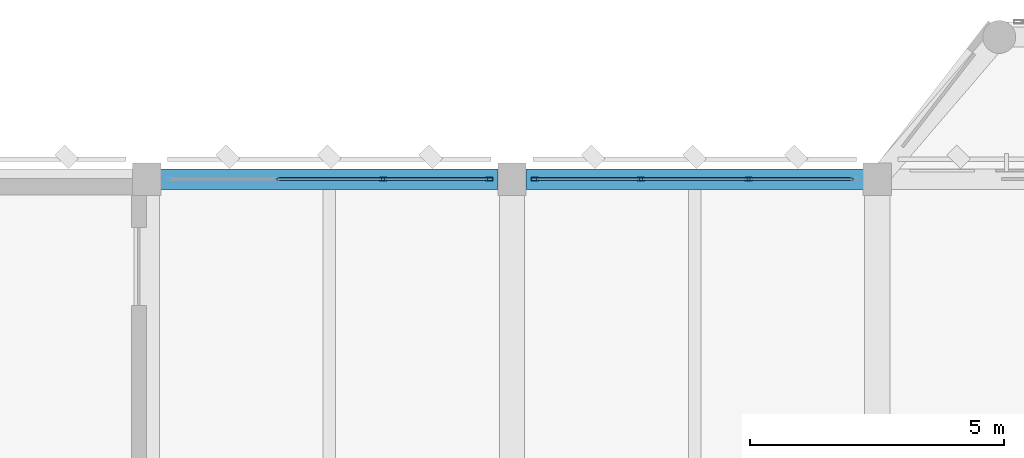
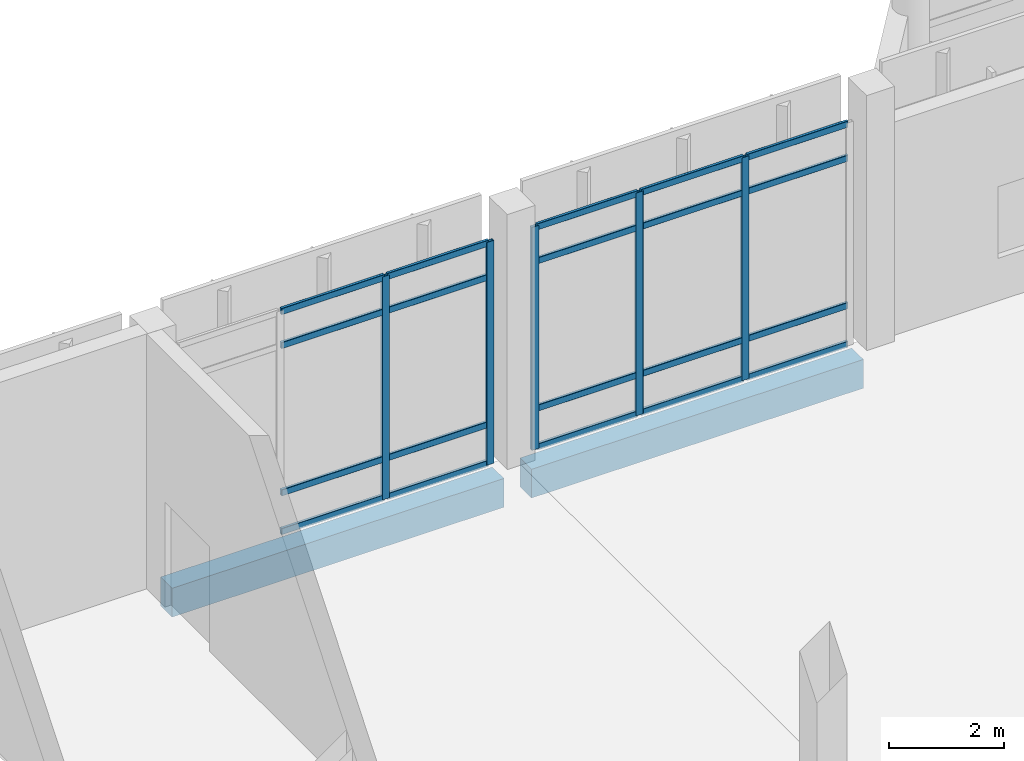
# One storey, part 95 of 180: 25 members, 2 beams, 2 elements without a shape of their own.
"""IFC4 building model written with IfcOpenShell, lengths in metres."""

import ifcopenshell
import ifcopenshell.guid

model = None  # the IFC model being written
_history = None  # IfcOwnerHistory: only IFC2X3 demands one
_inside = {}  # id of a spatial element -> (the spatial element, [elements in it])
_under = {}  # id of a project, library or spatial element -> (it, [spatial elements below it])
_declared = {}  # id of a project -> (the project, [libraries it declares])
_typed = {}  # id of a type object -> (the type object, [elements of that type])
_made_of = {}  # id of a material, layer set ... -> (it, [elements and type objects made of it])


def new_model(schema):
    """Start an empty IFC model of exactly this schema.

    Asked for "IFC4X3", IfcOpenShell would pick the latest addendum, in which some entities
    have other attributes; the version numbers below select the first issue.
    IFC2X3 requires an IfcOwnerHistory on every rooted entity: one is made here for all.
    """
    global model, _history
    if schema == "IFC4X3":
        model = ifcopenshell.file(schema_version=(4, 3, 0, 0))
    else:
        model = ifcopenshell.file(schema=schema)
    _inside.clear()
    _under.clear()
    _declared.clear()
    _typed.clear()
    _made_of.clear()
    _history = None
    if model.schema == "IFC2X3":
        org = make("IfcOrganization", Name="unknown")
        user = make(
            "IfcPersonAndOrganization",
            ThePerson=make("IfcPerson", FamilyName="unknown"),
            TheOrganization=org,
        )
        app = make(
            "IfcApplication",
            ApplicationDeveloper=org,
            Version="unknown",
            ApplicationFullName="unknown",
            ApplicationIdentifier="unknown",
        )
        _history = make(
            "IfcOwnerHistory",
            OwningUser=user,
            OwningApplication=app,
            ChangeAction="ADDED",
            CreationDate=0,
        )
    return model


def make(cls, **values):
    """One entity of the class cls with the attributes given. An attribute that is None is left unset."""
    return model.create_entity(
        cls, **{name: value for name, value in values.items() if value is not None}
    )


def rooted(cls, **values):
    """An entity with a GlobalId (a new one), such as an element, a storey or a relation."""
    return make(cls, GlobalId=ifcopenshell.guid.new(), OwnerHistory=_history, **values)


def si_unit(unit_type, name, prefix=None):
    """IfcSIUnit, for example si_unit("LENGTHUNIT", "METRE", prefix="MILLI")."""
    return make("IfcSIUnit", UnitType=unit_type, Prefix=prefix, Name=name)


def assignment(units):
    """IfcUnitAssignment: the units of a project."""
    return None if units is None else make("IfcUnitAssignment", Units=units)


def point(xyz):
    """IfcCartesianPoint."""
    return None if xyz is None else make("IfcCartesianPoint", Coordinates=xyz)


def direction(xyz):
    """IfcDirection."""
    return None if xyz is None else make("IfcDirection", DirectionRatios=xyz)


def frame(location, z_axis=None, x_axis=None):
    """IfcAxis2Placement3D, a coordinate frame: its origin and axes. An axis left out is left unset."""
    return make(
        "IfcAxis2Placement3D",
        Location=point(location),
        Axis=direction(z_axis),
        RefDirection=direction(x_axis),
    )


def frame_2d(location, x_axis=None):
    """IfcAxis2Placement2D, a coordinate frame in the plane: its origin and x axis."""
    return make(
        "IfcAxis2Placement2D", Location=point(location), RefDirection=direction(x_axis)
    )


def origin():
    """The frame at (0, 0, 0) with its axes left unset."""
    return frame((0.0, 0.0, 0.0))


def origin_2d():
    """The frame at (0, 0) in the plane with its x axis left unset."""
    return frame_2d((0.0, 0.0))


def place(relative_to, where):
    """IfcLocalPlacement: puts the frame where relative to a parent placement (None: the world)."""
    return make(
        "IfcLocalPlacement", PlacementRelTo=relative_to, RelativePlacement=where
    )


def context(
    kind, dimensions, precision=None, world=None, true_north=None, identifier=None
):
    """IfcGeometricRepresentationContext, for example the 3D "Model" context."""
    return make(
        "IfcGeometricRepresentationContext",
        ContextIdentifier=identifier,
        ContextType=kind,
        CoordinateSpaceDimension=dimensions,
        Precision=precision,
        WorldCoordinateSystem=world,
        TrueNorth=true_north,
    )


def subcontext(parent, identifier, kind, view, scale=None):
    """IfcGeometricRepresentationSubContext, for example "Body" below "Model"."""
    return make(
        "IfcGeometricRepresentationSubContext",
        ContextIdentifier=identifier,
        ContextType=kind,
        ParentContext=parent,
        TargetScale=scale,
        TargetView=view,
    )


def project(units=None, contexts=None):
    """IfcProject with its units and contexts."""
    return rooted(
        "IfcProject",
        Name="project",
        RepresentationContexts=contexts,
        UnitsInContext=assignment(units),
    )


def spatial(cls, under=None, at=None, **own):
    """A site, building, storey or space (cls), placed at a placement, below another one or the project."""
    s = rooted(cls, ObjectPlacement=at, **own)
    if under is not None:
        _under.setdefault(under.id(), (under, []))[1].append(s)
    return s


def profile(cls, at=None, kind="AREA", **sizes):
    """A parametric profile (cls). Its sizes go by their IFC names, for example OverallWidth=200.0."""
    return make(cls, ProfileType=kind, Position=at, **sizes)


def rectangle(**sizes):
    """IfcRectangleProfileDef."""
    return profile("IfcRectangleProfileDef", **sizes)


def hollow_rectangle(**sizes):
    """IfcRectangleHollowProfileDef."""
    return profile("IfcRectangleHollowProfileDef", **sizes)


def extrude(swept, where, along, depth):
    """IfcExtrudedAreaSolid: the profile swept, set in the frame where, extruded along a direction by depth."""
    return make(
        "IfcExtrudedAreaSolid",
        SweptArea=swept,
        Position=where,
        ExtrudedDirection=direction(along),
        Depth=depth,
    )


def shape(context_of_items, identifier, shape_type, items):
    """IfcShapeRepresentation: the items that make up one representation, for example the "Body"."""
    return make(
        "IfcShapeRepresentation",
        ContextOfItems=context_of_items,
        RepresentationIdentifier=identifier,
        RepresentationType=shape_type,
        Items=items,
    )


def material(Name=None, Category=None):
    """IfcMaterial."""
    return make("IfcMaterial", Name=Name, Category=Category)


def material_profile(
    of_material, cross_section, Name=None, Category=None, Priority=None
):
    """IfcMaterialProfile: a cross section and its material."""
    return make(
        "IfcMaterialProfile",
        Name=Name,
        Material=of_material,
        Profile=cross_section,
        Priority=Priority,
        Category=Category,
    )


def profile_set(profiles, Name=None, composite=None):
    """IfcMaterialProfileSet."""
    return make(
        "IfcMaterialProfileSet",
        Name=Name,
        MaterialProfiles=profiles,
        CompositeProfile=composite,
    )


def made_of(thing, what):
    """Note that an element or type object is made of a material, layer set ...; save() writes the relation."""
    if what is not None:
        _made_of.setdefault(what.id(), (what, []))[1].append(thing)
    return thing


def type_object(cls, material=None, **own):
    """A type object (cls), such as IfcWallType, which elements share."""
    return made_of(rooted(cls, **own), material)


def element(
    cls,
    number,
    at=None,
    inside=None,
    cuts=None,
    type_object=None,
    material=None,
    context=None,
    identifier="Body",
    shape_type=None,
    held_by="IfcProductDefinitionShape",
    body=None,
    shapes=None,
    **own,
):
    """One element of the class cls, such as IfcWall. Its Tag is "e" and its number.

    at: its placement. inside: the storey or other place that contains it. cuts: it is an
    opening in that element (IfcRelVoidsElement). A single representation is given by context,
    identifier, shape_type and body (its items); several are given by shapes. held_by: the class
    of the entity that holds the representations. save() writes the other relations.
    """
    e = rooted(cls, Tag="e%d" % number, ObjectPlacement=at, **own)
    if body is not None:
        shapes = [shape(context, identifier, shape_type, body)]
    if shapes is not None:
        e.Representation = make(held_by, Representations=shapes)
    if inside is not None:
        _inside.setdefault(inside.id(), (inside, []))[1].append(e)
    if cuts is not None:
        rooted(
            "IfcRelVoidsElement", RelatingBuildingElement=cuts, RelatedOpeningElement=e
        )
    if type_object is not None:
        _typed.setdefault(type_object.id(), (type_object, []))[1].append(e)
    return made_of(e, material)


def aggregate(whole, parts):
    """IfcRelAggregates: a whole, such as a stair, and the parts it consists of."""
    return rooted("IfcRelAggregates", RelatingObject=whole, RelatedObjects=parts)


def save(model, path):
    """Write the relations noted so far, then the file.

    IfcRelAggregates (storeys below a building ...), IfcRelContainedInSpatialStructure (elements
    in a storey), IfcRelDefinesByType, IfcRelAssociatesMaterial and IfcRelDeclares: one each for
    every whole, place, type object, material and project.
    """
    for whole, parts in _under.values():
        aggregate(whole, parts)
    for where, things in _inside.values():
        rooted(
            "IfcRelContainedInSpatialStructure",
            RelatedElements=things,
            RelatingStructure=where,
        )
    for kind, things in _typed.values():
        rooted("IfcRelDefinesByType", RelatedObjects=things, RelatingType=kind)
    for what, things in _made_of.values():
        rooted("IfcRelAssociatesMaterial", RelatedObjects=things, RelatingMaterial=what)
    for by, libraries in _declared.values():
        rooted("IfcRelDeclares", RelatingContext=by, RelatedDefinitions=libraries)
    model.write(path)


model = new_model("IFC4")

# Units and contexts
model_context = context("Model", 3, precision=1e-05, world=origin(), true_north=direction((0.0, 1.0)))
body_context = subcontext(model_context, "Body", "Model", "MODEL_VIEW")
ifc_project = project(units=[si_unit("LENGTHUNIT", "METRE"), si_unit("AREAUNIT", "SQUARE_METRE"), si_unit("VOLUMEUNIT", "CUBIC_METRE"), si_unit("PLANEANGLEUNIT", "RADIAN"), si_unit("MASSUNIT", "GRAM", prefix="KILO")], contexts=[model_context])

# Site, building, storey
site_placement = place(None, origin())
site = spatial("IfcSite", under=ifc_project, at=site_placement, CompositionType="ELEMENT")
building_placement = place(site_placement, origin())
building = spatial("IfcBuilding", under=site, at=building_placement, Name="Lusvemor Sports Hall", CompositionType="ELEMENT")
storey_placement = place(building_placement, frame((0.0, 0.0, 5.39990234375)))
storey = spatial("IfcBuildingStorey", under=building, at=storey_placement, Name="L01", CompositionType="ELEMENT", Elevation=5.39990234375)

# Curtain wall, members
ifc_material_1 = material(Name="Thermally broken bronze-anodized aluminium", Category="aluminium")
curtain_wall_type = type_object("IfcCurtainWallType", Name="CW_WING_B", PredefinedType="NOTDEFINED", material=ifc_material_1)
curtain_wall_1_placement = place(storey_placement, origin())
curtain_wall_1 = element("IfcCurtainWall", 1, at=curtain_wall_1_placement, inside=storey, type_object=curtain_wall_type, Name="Curtain Wall CW-L01-N-1-11", PredefinedType="NOTDEFINED")
ifc_material_2 = material(Name="Thermally broken bronze-anodized aluminium", Category="aluminium")
ifc_material_profile_1 = material_profile(ifc_material_2, hollow_rectangle(XDim=0.06494140625, YDim=0.14990234375, WallThickness=0.00390625, InnerFilletRadius=0.00390625, OuterFilletRadius=0.008056640625, at=origin_2d()), Name="CWMUL150x65x4")
ifc_profile_set_1 = profile_set([ifc_material_profile_1], Name="Thermally broken bronze-anodized aluminium")
member_type_1 = type_object("IfcMemberType", Name="CW_MUL_B", PredefinedType="MULLION", material=ifc_profile_set_1)
member_1_placement = place(storey_placement, frame((116.260009765625, 115.199951171875, 0.0), z_axis=(0.0, 0.0, 1.0), x_axis=(0.0, 1.0, 0.0)))
member_1 = element("IfcMember", 2, at=member_1_placement, type_object=member_type_1, Name="CW02 mullion 3", PredefinedType="MULLION", context=body_context, shape_type="SweptSolid", body=[
    extrude(hollow_rectangle(XDim=0.06494140625, YDim=0.14990234375, WallThickness=0.00390625, InnerFilletRadius=0.00390625, OuterFilletRadius=0.008056640625, at=origin_2d()), origin(), (0.0, 0.0, 1.0), 4.72021484375),
])
member_2_placement = place(storey_placement, frame((118.347412109375, 115.199951171875, 0.0), z_axis=(0.0, 0.0, 1.0), x_axis=(0.0, 1.0, 0.0)))
member_2 = element("IfcMember", 3, at=member_2_placement, type_object=member_type_1, Name="CW02 mullion 4", PredefinedType="MULLION", context=body_context, shape_type="SweptSolid", body=[
    extrude(hollow_rectangle(XDim=0.06494140625, YDim=0.14990234375, WallThickness=0.00390625, InnerFilletRadius=0.00390625, OuterFilletRadius=0.008056640625, at=origin_2d()), origin(), (0.0, 0.0, 1.0), 4.72021484375),
])

curtain_wall_2_placement = place(storey_placement, origin())
curtain_wall_2 = element("IfcCurtainWall", 4, at=curtain_wall_2_placement, inside=storey, type_object=curtain_wall_type, Name="Curtain Wall CW-L01-N-1-12", PredefinedType="NOTDEFINED")
member_3_placement = place(storey_placement, frame((119.25244140625, 115.199951171875, 0.0), z_axis=(0.0, 0.0, 1.0), x_axis=(0.0, 1.0, 0.0)))
member_3 = element("IfcMember", 5, at=member_3_placement, type_object=member_type_1, Name="CW02 mullion 1", PredefinedType="MULLION", context=body_context, shape_type="SweptSolid", body=[
    extrude(hollow_rectangle(XDim=0.06494140625, YDim=0.14990234375, WallThickness=0.00390625, InnerFilletRadius=0.00390625, OuterFilletRadius=0.008056640625, at=origin_2d()), origin(), (0.0, 0.0, 1.0), 4.72021484375),
])
member_4_placement = place(storey_placement, frame((121.340087890625, 115.199951171875, 0.0), z_axis=(0.0, 0.0, 1.0), x_axis=(0.0, 1.0, 0.0)))
member_4 = element("IfcMember", 6, at=member_4_placement, type_object=member_type_1, Name="CW02 mullion 2", PredefinedType="MULLION", context=body_context, shape_type="SweptSolid", body=[
    extrude(hollow_rectangle(XDim=0.06494140625, YDim=0.14990234375, WallThickness=0.00390625, InnerFilletRadius=0.00390625, OuterFilletRadius=0.008056640625, at=origin_2d()), origin(), (0.0, 0.0, 1.0), 4.72021484375),
])
member_5_placement = place(storey_placement, frame((123.4599609375, 115.199951171875, 0.0), z_axis=(0.0, 0.0, 1.0), x_axis=(0.0, 1.0, 0.0)))
member_5 = element("IfcMember", 7, at=member_5_placement, type_object=member_type_1, Name="CW02 mullion 3", PredefinedType="MULLION", context=body_context, shape_type="SweptSolid", body=[
    extrude(hollow_rectangle(XDim=0.06494140625, YDim=0.14990234375, WallThickness=0.00390625, InnerFilletRadius=0.00390625, OuterFilletRadius=0.008056640625, at=origin_2d()), origin(), (0.0, 0.0, 1.0), 4.72021484375),
])

# Member
ifc_material_3 = material(Name="Thermally broken bronze-anodized aluminium", Category="aluminium")
ifc_material_profile_2 = material_profile(ifc_material_3, hollow_rectangle(XDim=0.06005859375, YDim=0.135009765625, WallThickness=0.00390625, InnerFilletRadius=0.00390625, OuterFilletRadius=0.008056640625, at=origin_2d()), Name="CWTRN135x60x4")
ifc_profile_set_2 = profile_set([ifc_material_profile_2], Name="Thermally broken bronze-anodized aluminium")
member_type_2 = type_object("IfcMemberType", Name="CW_TRN_B", PredefinedType="USERDEFINED", material=ifc_profile_set_2)
member_6_placement = place(storey_placement, frame((114.172607421875, 115.199951171875, 0.030029296875), z_axis=(1.0, 0.0, 0.0), x_axis=(0.0, 1.0, 0.0)))
member_6 = element("IfcMember", 8, at=member_6_placement, type_object=member_type_2, Name="CW02 transom 2.1", ObjectType="TRANSOM", PredefinedType="USERDEFINED", context=body_context, shape_type="SweptSolid", body=[
    extrude(hollow_rectangle(XDim=0.06005859375, YDim=0.135009765625, WallThickness=0.00390625, InnerFilletRadius=0.00390625, OuterFilletRadius=0.008056640625, at=origin_2d()), origin(), (0.0, 0.0, 1.0), 2.054931640625),
])

member_7_placement = place(storey_placement, frame((114.172607421875, 115.199951171875, 0.85009765625), z_axis=(1.0, 0.0, 0.0), x_axis=(0.0, 1.0, 0.0)))
member_7 = element("IfcMember", 9, at=member_7_placement, type_object=member_type_2, Name="CW02 transom 2.2", ObjectType="TRANSOM", PredefinedType="USERDEFINED", context=body_context, shape_type="SweptSolid", body=[
    extrude(hollow_rectangle(XDim=0.06005859375, YDim=0.135009765625, WallThickness=0.00390625, InnerFilletRadius=0.00390625, OuterFilletRadius=0.008056640625, at=origin_2d()), origin(), (0.0, 0.0, 1.0), 2.054931640625),
])

member_8_placement = place(storey_placement, frame((114.172607421875, 115.199951171875, 3.97021484375), z_axis=(1.0, 0.0, 0.0), x_axis=(0.0, 1.0, 0.0)))
member_8 = element("IfcMember", 10, at=member_8_placement, type_object=member_type_2, Name="CW02 transom 2.3", ObjectType="TRANSOM", PredefinedType="USERDEFINED", context=body_context, shape_type="SweptSolid", body=[
    extrude(hollow_rectangle(XDim=0.06005859375, YDim=0.135009765625, WallThickness=0.00390625, InnerFilletRadius=0.00390625, OuterFilletRadius=0.008056640625, at=origin_2d()), origin(), (0.0, 0.0, 1.0), 2.054931640625),
])

member_9_placement = place(storey_placement, frame((114.172607421875, 115.199951171875, 4.690185546875), z_axis=(1.0, 0.0, 0.0), x_axis=(0.0, 1.0, 0.0)))
member_9 = element("IfcMember", 11, at=member_9_placement, type_object=member_type_2, Name="CW02 transom 2.4", ObjectType="TRANSOM", PredefinedType="USERDEFINED", context=body_context, shape_type="SweptSolid", body=[
    extrude(hollow_rectangle(XDim=0.06005859375, YDim=0.135009765625, WallThickness=0.00390625, InnerFilletRadius=0.00390625, OuterFilletRadius=0.008056640625, at=origin_2d()), origin(), (0.0, 0.0, 1.0), 2.054931640625),
])

member_10_placement = place(storey_placement, frame((116.29248046875, 115.199951171875, 0.030029296875), z_axis=(1.0, 0.0, 0.0), x_axis=(0.0, 1.0, 0.0)))
member_10 = element("IfcMember", 12, at=member_10_placement, type_object=member_type_2, Name="CW02 transom 3.1", ObjectType="TRANSOM", PredefinedType="USERDEFINED", context=body_context, shape_type="SweptSolid", body=[
    extrude(hollow_rectangle(XDim=0.06005859375, YDim=0.135009765625, WallThickness=0.00390625, InnerFilletRadius=0.00390625, OuterFilletRadius=0.008056640625, at=origin_2d()), origin(), (0.0, 0.0, 1.0), 2.0224609375),
])

member_11_placement = place(storey_placement, frame((116.29248046875, 115.199951171875, 0.85009765625), z_axis=(1.0, 0.0, 0.0), x_axis=(0.0, 1.0, 0.0)))
member_11 = element("IfcMember", 13, at=member_11_placement, type_object=member_type_2, Name="CW02 transom 3.2", ObjectType="TRANSOM", PredefinedType="USERDEFINED", context=body_context, shape_type="SweptSolid", body=[
    extrude(hollow_rectangle(XDim=0.06005859375, YDim=0.135009765625, WallThickness=0.00390625, InnerFilletRadius=0.00390625, OuterFilletRadius=0.008056640625, at=origin_2d()), origin(), (0.0, 0.0, 1.0), 2.0224609375),
])

member_12_placement = place(storey_placement, frame((116.29248046875, 115.199951171875, 3.97021484375), z_axis=(1.0, 0.0, 0.0), x_axis=(0.0, 1.0, 0.0)))
member_12 = element("IfcMember", 14, at=member_12_placement, type_object=member_type_2, Name="CW02 transom 3.3", ObjectType="TRANSOM", PredefinedType="USERDEFINED", context=body_context, shape_type="SweptSolid", body=[
    extrude(hollow_rectangle(XDim=0.06005859375, YDim=0.135009765625, WallThickness=0.00390625, InnerFilletRadius=0.00390625, OuterFilletRadius=0.008056640625, at=origin_2d()), origin(), (0.0, 0.0, 1.0), 2.0224609375),
])

member_13_placement = place(storey_placement, frame((116.29248046875, 115.199951171875, 4.690185546875), z_axis=(1.0, 0.0, 0.0), x_axis=(0.0, 1.0, 0.0)))
member_13 = element("IfcMember", 15, at=member_13_placement, type_object=member_type_2, Name="CW02 transom 3.4", ObjectType="TRANSOM", PredefinedType="USERDEFINED", context=body_context, shape_type="SweptSolid", body=[
    extrude(hollow_rectangle(XDim=0.06005859375, YDim=0.135009765625, WallThickness=0.00390625, InnerFilletRadius=0.00390625, OuterFilletRadius=0.008056640625, at=origin_2d()), origin(), (0.0, 0.0, 1.0), 2.0224609375),
])

aggregate(curtain_wall_1, [member_1, member_2, member_6, member_7, member_8, member_9, member_10, member_11, member_12, member_13])

member_14_placement = place(storey_placement, frame((119.284912109375, 115.199951171875, 0.030029296875), z_axis=(1.0, 0.0, 0.0), x_axis=(0.0, 1.0, 0.0)))
member_14 = element("IfcMember", 16, at=member_14_placement, type_object=member_type_2, Name="CW02 transom 1.1", ObjectType="TRANSOM", PredefinedType="USERDEFINED", context=body_context, shape_type="SweptSolid", body=[
    extrude(hollow_rectangle(XDim=0.06005859375, YDim=0.135009765625, WallThickness=0.00390625, InnerFilletRadius=0.00390625, OuterFilletRadius=0.008056640625, at=origin_2d()), origin(), (0.0, 0.0, 1.0), 2.022705078125),
])

member_15_placement = place(storey_placement, frame((119.284912109375, 115.199951171875, 0.85009765625), z_axis=(1.0, 0.0, 0.0), x_axis=(0.0, 1.0, 0.0)))
member_15 = element("IfcMember", 17, at=member_15_placement, type_object=member_type_2, Name="CW02 transom 1.2", ObjectType="TRANSOM", PredefinedType="USERDEFINED", context=body_context, shape_type="SweptSolid", body=[
    extrude(hollow_rectangle(XDim=0.06005859375, YDim=0.135009765625, WallThickness=0.00390625, InnerFilletRadius=0.00390625, OuterFilletRadius=0.008056640625, at=origin_2d()), origin(), (0.0, 0.0, 1.0), 2.022705078125),
])

member_16_placement = place(storey_placement, frame((119.284912109375, 115.199951171875, 3.97021484375), z_axis=(1.0, 0.0, 0.0), x_axis=(0.0, 1.0, 0.0)))
member_16 = element("IfcMember", 18, at=member_16_placement, type_object=member_type_2, Name="CW02 transom 1.3", ObjectType="TRANSOM", PredefinedType="USERDEFINED", context=body_context, shape_type="SweptSolid", body=[
    extrude(hollow_rectangle(XDim=0.06005859375, YDim=0.135009765625, WallThickness=0.00390625, InnerFilletRadius=0.00390625, OuterFilletRadius=0.008056640625, at=origin_2d()), origin(), (0.0, 0.0, 1.0), 2.022705078125),
])

member_17_placement = place(storey_placement, frame((119.284912109375, 115.199951171875, 4.690185546875), z_axis=(1.0, 0.0, 0.0), x_axis=(0.0, 1.0, 0.0)))
member_17 = element("IfcMember", 19, at=member_17_placement, type_object=member_type_2, Name="CW02 transom 1.4", ObjectType="TRANSOM", PredefinedType="USERDEFINED", context=body_context, shape_type="SweptSolid", body=[
    extrude(hollow_rectangle(XDim=0.06005859375, YDim=0.135009765625, WallThickness=0.00390625, InnerFilletRadius=0.00390625, OuterFilletRadius=0.008056640625, at=origin_2d()), origin(), (0.0, 0.0, 1.0), 2.022705078125),
])

member_18_placement = place(storey_placement, frame((121.37255859375, 115.199951171875, 0.030029296875), z_axis=(1.0, 0.0, 0.0), x_axis=(0.0, 1.0, 0.0)))
member_18 = element("IfcMember", 20, at=member_18_placement, type_object=member_type_2, Name="CW02 transom 2.1", ObjectType="TRANSOM", PredefinedType="USERDEFINED", context=body_context, shape_type="SweptSolid", body=[
    extrude(hollow_rectangle(XDim=0.06005859375, YDim=0.135009765625, WallThickness=0.00390625, InnerFilletRadius=0.00390625, OuterFilletRadius=0.008056640625, at=origin_2d()), origin(), (0.0, 0.0, 1.0), 2.054931640625),
])

member_19_placement = place(storey_placement, frame((121.37255859375, 115.199951171875, 0.85009765625), z_axis=(1.0, 0.0, 0.0), x_axis=(0.0, 1.0, 0.0)))
member_19 = element("IfcMember", 21, at=member_19_placement, type_object=member_type_2, Name="CW02 transom 2.2", ObjectType="TRANSOM", PredefinedType="USERDEFINED", context=body_context, shape_type="SweptSolid", body=[
    extrude(hollow_rectangle(XDim=0.06005859375, YDim=0.135009765625, WallThickness=0.00390625, InnerFilletRadius=0.00390625, OuterFilletRadius=0.008056640625, at=origin_2d()), origin(), (0.0, 0.0, 1.0), 2.054931640625),
])

member_20_placement = place(storey_placement, frame((121.37255859375, 115.199951171875, 3.97021484375), z_axis=(1.0, 0.0, 0.0), x_axis=(0.0, 1.0, 0.0)))
member_20 = element("IfcMember", 22, at=member_20_placement, type_object=member_type_2, Name="CW02 transom 2.3", ObjectType="TRANSOM", PredefinedType="USERDEFINED", context=body_context, shape_type="SweptSolid", body=[
    extrude(hollow_rectangle(XDim=0.06005859375, YDim=0.135009765625, WallThickness=0.00390625, InnerFilletRadius=0.00390625, OuterFilletRadius=0.008056640625, at=origin_2d()), origin(), (0.0, 0.0, 1.0), 2.054931640625),
])

member_21_placement = place(storey_placement, frame((121.37255859375, 115.199951171875, 4.690185546875), z_axis=(1.0, 0.0, 0.0), x_axis=(0.0, 1.0, 0.0)))
member_21 = element("IfcMember", 23, at=member_21_placement, type_object=member_type_2, Name="CW02 transom 2.4", ObjectType="TRANSOM", PredefinedType="USERDEFINED", context=body_context, shape_type="SweptSolid", body=[
    extrude(hollow_rectangle(XDim=0.06005859375, YDim=0.135009765625, WallThickness=0.00390625, InnerFilletRadius=0.00390625, OuterFilletRadius=0.008056640625, at=origin_2d()), origin(), (0.0, 0.0, 1.0), 2.054931640625),
])

member_22_placement = place(storey_placement, frame((123.492431640625, 115.199951171875, 0.030029296875), z_axis=(1.0, 0.0, 0.0), x_axis=(0.0, 1.0, 0.0)))
member_22 = element("IfcMember", 24, at=member_22_placement, type_object=member_type_2, Name="CW02 transom 3.1", ObjectType="TRANSOM", PredefinedType="USERDEFINED", context=body_context, shape_type="SweptSolid", body=[
    extrude(hollow_rectangle(XDim=0.06005859375, YDim=0.135009765625, WallThickness=0.00390625, InnerFilletRadius=0.00390625, OuterFilletRadius=0.008056640625, at=origin_2d()), origin(), (0.0, 0.0, 1.0), 2.0224609375),
])

member_23_placement = place(storey_placement, frame((123.492431640625, 115.199951171875, 0.85009765625), z_axis=(1.0, 0.0, 0.0), x_axis=(0.0, 1.0, 0.0)))
member_23 = element("IfcMember", 25, at=member_23_placement, type_object=member_type_2, Name="CW02 transom 3.2", ObjectType="TRANSOM", PredefinedType="USERDEFINED", context=body_context, shape_type="SweptSolid", body=[
    extrude(hollow_rectangle(XDim=0.06005859375, YDim=0.135009765625, WallThickness=0.00390625, InnerFilletRadius=0.00390625, OuterFilletRadius=0.008056640625, at=origin_2d()), origin(), (0.0, 0.0, 1.0), 2.0224609375),
])

member_24_placement = place(storey_placement, frame((123.492431640625, 115.199951171875, 3.97021484375), z_axis=(1.0, 0.0, 0.0), x_axis=(0.0, 1.0, 0.0)))
member_24 = element("IfcMember", 26, at=member_24_placement, type_object=member_type_2, Name="CW02 transom 3.3", ObjectType="TRANSOM", PredefinedType="USERDEFINED", context=body_context, shape_type="SweptSolid", body=[
    extrude(hollow_rectangle(XDim=0.06005859375, YDim=0.135009765625, WallThickness=0.00390625, InnerFilletRadius=0.00390625, OuterFilletRadius=0.008056640625, at=origin_2d()), origin(), (0.0, 0.0, 1.0), 2.0224609375),
])

member_25_placement = place(storey_placement, frame((123.492431640625, 115.199951171875, 4.690185546875), z_axis=(1.0, 0.0, 0.0), x_axis=(0.0, 1.0, 0.0)))
member_25 = element("IfcMember", 27, at=member_25_placement, type_object=member_type_2, Name="CW02 transom 3.4", ObjectType="TRANSOM", PredefinedType="USERDEFINED", context=body_context, shape_type="SweptSolid", body=[
    extrude(hollow_rectangle(XDim=0.06005859375, YDim=0.135009765625, WallThickness=0.00390625, InnerFilletRadius=0.00390625, OuterFilletRadius=0.008056640625, at=origin_2d()), origin(), (0.0, 0.0, 1.0), 2.0224609375),
])

aggregate(curtain_wall_2, [member_3, member_4, member_5, member_14, member_15, member_16, member_17, member_18, member_19, member_20, member_21, member_22, member_23, member_24, member_25])

# Beams
ifc_material_4 = material(Name="Concrete C40/50", Category="concrete")
ifc_material_profile_3 = material_profile(ifc_material_4, rectangle(XDim=0.39990234375, YDim=0.610107421875, at=origin_2d()), Name="RC400x610")
ifc_profile_set_3 = profile_set([ifc_material_profile_3], Name="Concrete C40/50")
beam_type = type_object("IfcBeamType", Name="SPAND_EXT_650", PredefinedType="SPANDREL", material=ifc_profile_set_3)
beam_1_placement = place(storey_placement, frame((111.8759765625, 115.199951171875, -0.56494140625), z_axis=(1.0, 0.0, 0.0), x_axis=(0.0, 1.0, 0.0)))
element("IfcBeam", 28, at=beam_1_placement, inside=storey, type_object=beam_type, Name="Beam L01 Q:12-13", PredefinedType="SPANDREL", context=body_context, shape_type="SweptSolid", body=[
    extrude(rectangle(XDim=0.39990234375, YDim=0.610107421875, at=origin_2d()), origin(), (0.0, 0.0, 1.0), 6.64794921875),
])
beam_2_placement = place(storey_placement, frame((119.075927734375, 115.199951171875, -0.56494140625), z_axis=(1.0, 0.0, 0.0), x_axis=(0.0, 1.0, 0.0)))
element("IfcBeam", 29, at=beam_2_placement, inside=storey, type_object=beam_type, Name="Beam L01 Q:13-14", PredefinedType="SPANDREL", context=body_context, shape_type="SweptSolid", body=[
    extrude(rectangle(XDim=0.39990234375, YDim=0.610107421875, at=origin_2d()), origin(), (0.0, 0.0, 1.0), 6.648193359375),
])

save(model, "model.ifc")
